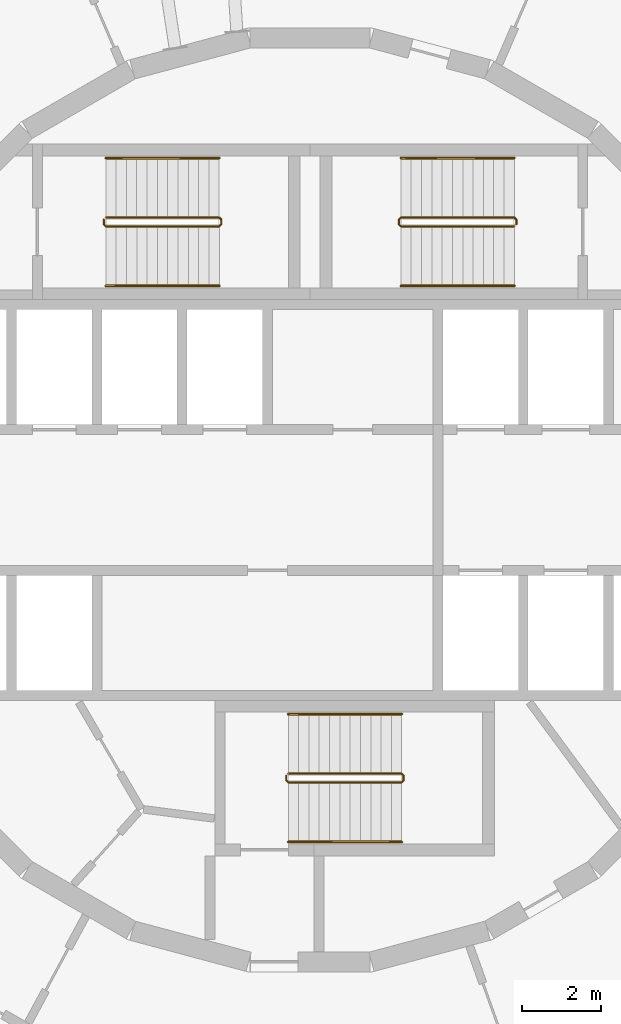
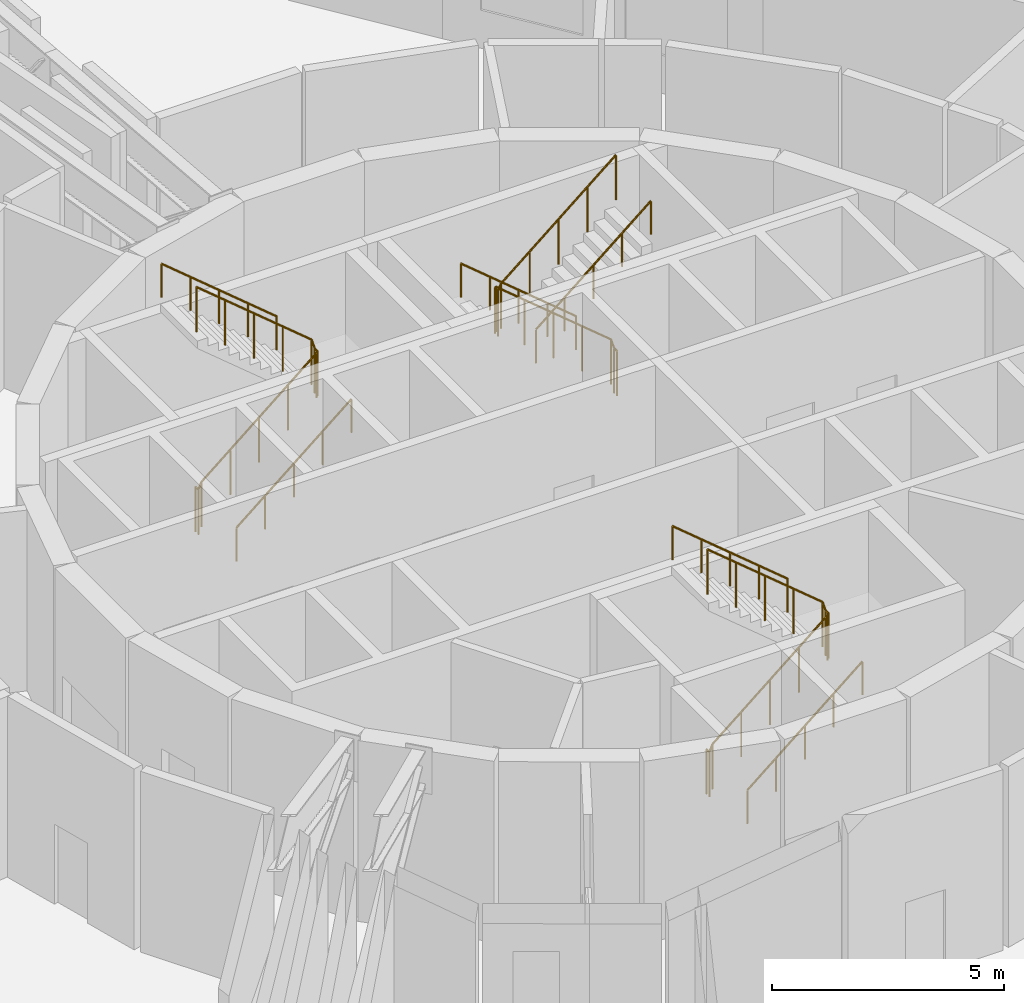
# One storey, part 11 of 11: 9 railings.
"""IFC4 building model written with IfcOpenShell, lengths in metres."""

from ifc_helpers import new_model, si_unit, direction, frame, origin, origin_2d, place, context, subcontext, project, spatial, circle, extrude, material, type_object, element, save


model = new_model("IFC4")

# Units and contexts
model_context = context("Model", 3, precision=1e-05, world=origin(), true_north=direction((0.0, 1.0)))
body_context = subcontext(model_context, "Body", "Model", "MODEL_VIEW")
ifc_project = project(units=[si_unit("LENGTHUNIT", "METRE"), si_unit("AREAUNIT", "SQUARE_METRE"), si_unit("VOLUMEUNIT", "CUBIC_METRE"), si_unit("PLANEANGLEUNIT", "RADIAN"), si_unit("MASSUNIT", "GRAM", prefix="KILO")], contexts=[model_context])

# Site, building, storey
site_placement = place(None, origin())
site = spatial("IfcSite", under=ifc_project, at=site_placement, CompositionType="ELEMENT")
building_placement = place(site_placement, origin())
building = spatial("IfcBuilding", under=site, at=building_placement, Name="Spindle Arch Residences", CompositionType="ELEMENT")
storey_placement = place(building_placement, frame((0.0, 0.0, 108.199951171875)))
storey = spatial("IfcBuildingStorey", under=building, at=storey_placement, Name="L26", CompositionType="ELEMENT", Elevation=108.199951171875)

# Railings
ifc_material_1 = material(Name="Steel, painted", Category="steel")
railing_type_1 = type_object("IfcRailingType", Name="Stair guard 1100", PredefinedType="GUARDRAIL", material=ifc_material_1)
railing_1_placement = place(storey_placement, frame((5.14990234375, 6.89990234375, 5.199951171875)))
element("IfcRailing", 1, at=railing_1_placement, inside=storey, type_object=railing_type_1, Name="L26 ST1 stair guard 1", PredefinedType="GUARDRAIL", context=body_context, shape_type="SweptSolid", body=[
    extrude(circle(Radius=0.02392578125, at=origin_2d()), frame((0.0, 0.0, 1.17578125), z_axis=(-0.76821052858, 0.0, -0.640197300665), x_axis=(0.0, -1.0, 0.0)), (0.0, 0.0, 1.0), 3.72265625),
    extrude(circle(Radius=0.02392578125, at=origin_2d()), frame((-2.85986328125, 0.0, -1.20751953125), z_axis=(-0.219679693006, 0.219679693006, -0.950516525349), x_axis=(-0.707106781187, -0.707106781187, 0.0)), (0.0, 0.0, 1.0), 0.227783203125),
    extrude(circle(Radius=0.02392578125, at=origin_2d()), frame((-2.909912109375, 0.050048828125, -1.423828125), z_axis=(0.0, 1.0, 0.0), x_axis=(-1.0, 0.0, 0.0)), (0.0, 0.0, 1.0), 0.1201171875),
    extrude(circle(Radius=0.02392578125, at=origin_2d()), frame((-2.909912109375, 0.170166015625, -1.423828125), z_axis=(0.707106781187, 0.707106781187, 0.0), x_axis=(-0.707106781187, 0.707106781187, 0.0)), (0.0, 0.0, 1.0), 0.07080078125),
    extrude(circle(Radius=0.02392578125, at=origin_2d()), frame((-2.85986328125, 0.22021484375, -1.423828125), z_axis=(0.76821052858, 0.0, -0.640197300665), x_axis=(0.0, 1.0, 0.0)), (0.0, 0.0, 1.0), 3.72265625),
    extrude(circle(Radius=0.02392578125, at=origin_2d()), frame((0.0, 0.22021484375, -3.80712890625), z_axis=(0.219456146917, -0.219456146917, -0.950619797375), x_axis=(0.707106781187, 0.707106781187, 0.0)), (0.0, 0.0, 1.0), 0.22802734375),
    extrude(circle(Radius=0.02392578125, at=origin_2d()), frame((0.050048828125, 0.170166015625, -4.02392578125), z_axis=(0.0, -1.0, 0.0), x_axis=(1.0, 0.0, 0.0)), (0.0, 0.0, 1.0), 0.1201171875),
    extrude(circle(Radius=0.02099609375, at=origin_2d()), origin(), (0.0, 0.0, 1.0), 1.15185546875),
    extrude(circle(Radius=0.02099609375, at=origin_2d()), frame((-0.71484375, 0.0, -0.595703125)), (0.0, 0.0, 1.0), 1.15185546875),
    extrude(circle(Radius=0.02099609375, at=origin_2d()), frame((-1.429931640625, 0.0, -1.191650390625)), (0.0, 0.0, 1.0), 1.15185546875),
    extrude(circle(Radius=0.02099609375, at=origin_2d()), frame((-2.14501953125, 0.0, -1.78759765625)), (0.0, 0.0, 1.0), 1.15185546875),
    extrude(circle(Radius=0.02099609375, at=origin_2d()), frame((-2.85986328125, 0.0, -2.38330078125)), (0.0, 0.0, 1.0), 1.15185546875),
    extrude(circle(Radius=0.02099609375, at=origin_2d()), frame((-2.909912109375, 0.050048828125, -2.599853515625)), (0.0, 0.0, 1.0), 1.15185546875),
    extrude(circle(Radius=0.02099609375, at=origin_2d()), frame((-2.909912109375, 0.170166015625, -2.599853515625)), (0.0, 0.0, 1.0), 1.15185546875),
    extrude(circle(Radius=0.02099609375, at=origin_2d()), frame((-2.85986328125, 0.22021484375, -2.599853515625)), (0.0, 0.0, 1.0), 1.15185546875),
    extrude(circle(Radius=0.02099609375, at=origin_2d()), frame((-2.14501953125, 0.22021484375, -3.19580078125)), (0.0, 0.0, 1.0), 1.15185546875),
    extrude(circle(Radius=0.02099609375, at=origin_2d()), frame((-1.429931640625, 0.22021484375, -3.79150390625)), (0.0, 0.0, 1.0), 1.15185546875),
    extrude(circle(Radius=0.02099609375, at=origin_2d()), frame((-0.71484375, 0.22021484375, -4.38720703125)), (0.0, 0.0, 1.0), 1.15185546875),
    extrude(circle(Radius=0.02099609375, at=origin_2d()), frame((0.0, 0.22021484375, -4.983154296875)), (0.0, 0.0, 1.0), 1.15185546875),
    extrude(circle(Radius=0.02099609375, at=origin_2d()), frame((0.050048828125, 0.170166015625, -5.199951171875)), (0.0, 0.0, 1.0), 1.15185546875),
    extrude(circle(Radius=0.02099609375, at=origin_2d()), frame((0.050048828125, 0.050048828125, -5.199951171875)), (0.0, 0.0, 1.0), 1.15185546875),
])
railing_2_placement = place(storey_placement, frame((-5.14990234375, 7.1201171875, 5.199951171875)))
element("IfcRailing", 2, at=railing_2_placement, inside=storey, type_object=railing_type_1, Name="L26 ST2 stair guard 1", PredefinedType="GUARDRAIL", context=body_context, shape_type="SweptSolid", body=[
    extrude(circle(Radius=0.02392578125, at=origin_2d()), frame((0.0, 0.0, 1.17578125), z_axis=(0.76821052858, 0.0, -0.640197300665), x_axis=(0.0, 1.0, 0.0)), (0.0, 0.0, 1.0), 3.72265625),
    extrude(circle(Radius=0.02392578125, at=origin_2d()), frame((2.85986328125, 0.0, -1.20751953125), z_axis=(0.219679693006, -0.219679693006, -0.950516525349), x_axis=(0.707106781187, 0.707106781187, 0.0)), (0.0, 0.0, 1.0), 0.227783203125),
    extrude(circle(Radius=0.02392578125, at=origin_2d()), frame((2.909912109375, -0.050048828125, -1.423828125), z_axis=(0.0, -1.0, 0.0), x_axis=(1.0, 0.0, 0.0)), (0.0, 0.0, 1.0), 0.1201171875),
    extrude(circle(Radius=0.02392578125, at=origin_2d()), frame((2.909912109375, -0.170166015625, -1.423828125), z_axis=(-0.707106781187, -0.707106781187, 0.0), x_axis=(0.707106781187, -0.707106781187, 0.0)), (0.0, 0.0, 1.0), 0.07080078125),
    extrude(circle(Radius=0.02392578125, at=origin_2d()), frame((2.85986328125, -0.22021484375, -1.423828125), z_axis=(-0.76821052858, 0.0, -0.640197300665), x_axis=(0.0, -1.0, 0.0)), (0.0, 0.0, 1.0), 3.72265625),
    extrude(circle(Radius=0.02392578125, at=origin_2d()), frame((0.0, -0.22021484375, -3.80712890625), z_axis=(-0.219456146917, 0.219456146917, -0.950619797375), x_axis=(-0.707106781187, -0.707106781187, 0.0)), (0.0, 0.0, 1.0), 0.22802734375),
    extrude(circle(Radius=0.02392578125, at=origin_2d()), frame((-0.050048828125, -0.170166015625, -4.02392578125), z_axis=(0.0, 1.0, 0.0), x_axis=(-1.0, 0.0, 0.0)), (0.0, 0.0, 1.0), 0.1201171875),
    extrude(circle(Radius=0.02099609375, at=origin_2d()), origin(), (0.0, 0.0, 1.0), 1.15185546875),
    extrude(circle(Radius=0.02099609375, at=origin_2d()), frame((0.71484375, 0.0, -0.595703125)), (0.0, 0.0, 1.0), 1.15185546875),
    extrude(circle(Radius=0.02099609375, at=origin_2d()), frame((1.429931640625, 0.0, -1.191650390625)), (0.0, 0.0, 1.0), 1.15185546875),
    extrude(circle(Radius=0.02099609375, at=origin_2d()), frame((2.14501953125, 0.0, -1.78759765625)), (0.0, 0.0, 1.0), 1.15185546875),
    extrude(circle(Radius=0.02099609375, at=origin_2d()), frame((2.85986328125, 0.0, -2.38330078125)), (0.0, 0.0, 1.0), 1.15185546875),
    extrude(circle(Radius=0.02099609375, at=origin_2d()), frame((2.909912109375, -0.050048828125, -2.599853515625)), (0.0, 0.0, 1.0), 1.15185546875),
    extrude(circle(Radius=0.02099609375, at=origin_2d()), frame((2.909912109375, -0.170166015625, -2.599853515625)), (0.0, 0.0, 1.0), 1.15185546875),
    extrude(circle(Radius=0.02099609375, at=origin_2d()), frame((2.85986328125, -0.22021484375, -2.599853515625)), (0.0, 0.0, 1.0), 1.15185546875),
    extrude(circle(Radius=0.02099609375, at=origin_2d()), frame((2.14501953125, -0.22021484375, -3.19580078125)), (0.0, 0.0, 1.0), 1.15185546875),
    extrude(circle(Radius=0.02099609375, at=origin_2d()), frame((1.429931640625, -0.22021484375, -3.79150390625)), (0.0, 0.0, 1.0), 1.15185546875),
    extrude(circle(Radius=0.02099609375, at=origin_2d()), frame((0.71484375, -0.22021484375, -4.38720703125)), (0.0, 0.0, 1.0), 1.15185546875),
    extrude(circle(Radius=0.02099609375, at=origin_2d()), frame((0.0, -0.22021484375, -4.983154296875)), (0.0, 0.0, 1.0), 1.15185546875),
    extrude(circle(Radius=0.02099609375, at=origin_2d()), frame((-0.050048828125, -0.170166015625, -5.199951171875)), (0.0, 0.0, 1.0), 1.15185546875),
    extrude(circle(Radius=0.02099609375, at=origin_2d()), frame((-0.050048828125, -0.050048828125, -5.199951171875)), (0.0, 0.0, 1.0), 1.15185546875),
])
railing_3_placement = place(storey_placement, frame((-0.550048828125, -6.89990234375, 5.199951171875)))
element("IfcRailing", 3, at=railing_3_placement, inside=storey, type_object=railing_type_1, Name="L26 ST3 stair guard 1", PredefinedType="GUARDRAIL", context=body_context, shape_type="SweptSolid", body=[
    extrude(circle(Radius=0.02392578125, at=origin_2d()), frame((0.0, 0.0, 1.17578125), z_axis=(0.768237404905, 0.0, -0.640165048799), x_axis=(0.0, 1.0, 0.0)), (0.0, 0.0, 1.0), 3.722900390625),
    extrude(circle(Radius=0.02392578125, at=origin_2d()), frame((2.860107421875, 0.0, -1.20751953125), z_axis=(0.219679693006, -0.219679693006, -0.950516525349), x_axis=(0.707106781187, 0.707106781187, 0.0)), (0.0, 0.0, 1.0), 0.227783203125),
    extrude(circle(Radius=0.02392578125, at=origin_2d()), frame((2.91015625, -0.050048828125, -1.423828125), z_axis=(0.0, -1.0, 0.0), x_axis=(1.0, 0.0, 0.0)), (0.0, 0.0, 1.0), 0.1201171875),
    extrude(circle(Radius=0.02392578125, at=origin_2d()), frame((2.91015625, -0.170166015625, -1.423828125), z_axis=(-0.707106781187, -0.707106781187, 0.0), x_axis=(0.707106781187, -0.707106781187, 0.0)), (0.0, 0.0, 1.0), 0.07080078125),
    extrude(circle(Radius=0.02392578125, at=origin_2d()), frame((2.860107421875, -0.22021484375, -1.423828125), z_axis=(-0.768237404905, 0.0, -0.640165048799), x_axis=(0.0, -1.0, 0.0)), (0.0, 0.0, 1.0), 3.722900390625),
    extrude(circle(Radius=0.02392578125, at=origin_2d()), frame((0.0, -0.22021484375, -3.80712890625), z_axis=(-0.219456146917, 0.219456146917, -0.950619797375), x_axis=(-0.707106781187, -0.707106781187, 0.0)), (0.0, 0.0, 1.0), 0.22802734375),
    extrude(circle(Radius=0.02392578125, at=origin_2d()), frame((-0.050048828125, -0.170166015625, -4.02392578125), z_axis=(0.0, 1.0, 0.0), x_axis=(-1.0, 0.0, 0.0)), (0.0, 0.0, 1.0), 0.1201171875),
    extrude(circle(Radius=0.02099609375, at=origin_2d()), origin(), (0.0, 0.0, 1.0), 1.15185546875),
    extrude(circle(Radius=0.02099609375, at=origin_2d()), frame((0.715087890625, 0.0, -0.595703125)), (0.0, 0.0, 1.0), 1.15185546875),
    extrude(circle(Radius=0.02099609375, at=origin_2d()), frame((1.43017578125, 0.0, -1.191650390625)), (0.0, 0.0, 1.0), 1.15185546875),
    extrude(circle(Radius=0.02099609375, at=origin_2d()), frame((2.14501953125, 0.0, -1.78759765625)), (0.0, 0.0, 1.0), 1.15185546875),
    extrude(circle(Radius=0.02099609375, at=origin_2d()), frame((2.860107421875, 0.0, -2.38330078125)), (0.0, 0.0, 1.0), 1.15185546875),
    extrude(circle(Radius=0.02099609375, at=origin_2d()), frame((2.91015625, -0.050048828125, -2.599853515625)), (0.0, 0.0, 1.0), 1.15185546875),
    extrude(circle(Radius=0.02099609375, at=origin_2d()), frame((2.91015625, -0.170166015625, -2.599853515625)), (0.0, 0.0, 1.0), 1.15185546875),
    extrude(circle(Radius=0.02099609375, at=origin_2d()), frame((2.860107421875, -0.22021484375, -2.599853515625)), (0.0, 0.0, 1.0), 1.15185546875),
    extrude(circle(Radius=0.02099609375, at=origin_2d()), frame((2.14501953125, -0.22021484375, -3.19580078125)), (0.0, 0.0, 1.0), 1.15185546875),
    extrude(circle(Radius=0.02099609375, at=origin_2d()), frame((1.43017578125, -0.22021484375, -3.79150390625)), (0.0, 0.0, 1.0), 1.15185546875),
    extrude(circle(Radius=0.02099609375, at=origin_2d()), frame((0.715087890625, -0.22021484375, -4.38720703125)), (0.0, 0.0, 1.0), 1.15185546875),
    extrude(circle(Radius=0.02099609375, at=origin_2d()), frame((0.0, -0.22021484375, -4.983154296875)), (0.0, 0.0, 1.0), 1.15185546875),
    extrude(circle(Radius=0.02099609375, at=origin_2d()), frame((-0.050048828125, -0.170166015625, -5.199951171875)), (0.0, 0.0, 1.0), 1.15185546875),
    extrude(circle(Radius=0.02099609375, at=origin_2d()), frame((-0.050048828125, -0.050048828125, -5.199951171875)), (0.0, 0.0, 1.0), 1.15185546875),
])
ifc_material_2 = material(Name="Steel, painted", Category="steel")
railing_type_2 = type_object("IfcRailingType", Name="Stair handrail 900", PredefinedType="HANDRAIL", material=ifc_material_2)
railing_4_placement = place(storey_placement, frame((5.14990234375, 8.6201171875, 0.216796875)))
element("IfcRailing", 4, at=railing_4_placement, inside=storey, type_object=railing_type_2, Name="L26 ST1 stair handrail 1", PredefinedType="HANDRAIL", context=body_context, shape_type="SweptSolid", body=[
    extrude(circle(Radius=0.02392578125, at=origin_2d()), frame((0.0, 0.0, 0.8759765625), z_axis=(-0.76821052858, 0.0, 0.640197300665), x_axis=(0.0, -1.0, 0.0)), (0.0, 0.0, 1.0), 3.72265625),
    extrude(circle(Radius=0.02099609375, at=origin_2d()), origin(), (0.0, 0.0, 1.0), 0.851806640625),
    extrude(circle(Radius=0.02099609375, at=origin_2d()), frame((-0.71484375, 0.0, 0.595703125)), (0.0, 0.0, 1.0), 0.851806640625),
    extrude(circle(Radius=0.02099609375, at=origin_2d()), frame((-1.429931640625, 0.0, 1.191650390625)), (0.0, 0.0, 1.0), 0.851806640625),
    extrude(circle(Radius=0.02099609375, at=origin_2d()), frame((-2.14501953125, 0.0, 1.78759765625)), (0.0, 0.0, 1.0), 0.851806640625),
    extrude(circle(Radius=0.02099609375, at=origin_2d()), frame((-2.85986328125, 0.0, 2.38330078125)), (0.0, 0.0, 1.0), 0.851806640625),
])
for number, where, name in (
    (5, (2.2900390625, 5.39990234375, 2.816650390625), "L26 ST1 stair handrail 2"),
    (6, (-5.14990234375, 5.39990234375, 0.216796875), "L26 ST2 stair handrail 1"),
):
    element("IfcRailing", number, at=place(storey_placement, frame(where)), inside=storey, type_object=railing_type_2, Name=name, PredefinedType="HANDRAIL", context=body_context, shape_type="SweptSolid", body=[
        extrude(circle(Radius=0.02392578125, at=origin_2d()), frame((0.0, 0.0, 0.8759765625), z_axis=(0.76821052858, 0.0, 0.640197300665), x_axis=(0.0, 1.0, 0.0)), (0.0, 0.0, 1.0), 3.72265625),
        extrude(circle(Radius=0.02099609375, at=origin_2d()), origin(), (0.0, 0.0, 1.0), 0.851806640625),
        extrude(circle(Radius=0.02099609375, at=origin_2d()), frame((0.71484375, 0.0, 0.595703125)), (0.0, 0.0, 1.0), 0.851806640625),
        extrude(circle(Radius=0.02099609375, at=origin_2d()), frame((1.429931640625, 0.0, 1.191650390625)), (0.0, 0.0, 1.0), 0.851806640625),
        extrude(circle(Radius=0.02099609375, at=origin_2d()), frame((2.14501953125, 0.0, 1.78759765625)), (0.0, 0.0, 1.0), 0.851806640625),
        extrude(circle(Radius=0.02099609375, at=origin_2d()), frame((2.85986328125, 0.0, 2.38330078125)), (0.0, 0.0, 1.0), 0.851806640625),
    ])
railing_5_placement = place(storey_placement, frame((-2.2900390625, 8.6201171875, 2.816650390625)))
element("IfcRailing", 7, at=railing_5_placement, inside=storey, type_object=railing_type_2, Name="L26 ST2 stair handrail 2", PredefinedType="HANDRAIL", context=body_context, shape_type="SweptSolid", body=[
    extrude(circle(Radius=0.02392578125, at=origin_2d()), frame((0.0, 0.0, 0.8759765625), z_axis=(-0.76821052858, 0.0, 0.640197300665), x_axis=(0.0, -1.0, 0.0)), (0.0, 0.0, 1.0), 3.72265625),
    extrude(circle(Radius=0.02099609375, at=origin_2d()), origin(), (0.0, 0.0, 1.0), 0.851806640625),
    extrude(circle(Radius=0.02099609375, at=origin_2d()), frame((-0.71484375, 0.0, 0.595703125)), (0.0, 0.0, 1.0), 0.851806640625),
    extrude(circle(Radius=0.02099609375, at=origin_2d()), frame((-1.429931640625, 0.0, 1.191650390625)), (0.0, 0.0, 1.0), 0.851806640625),
    extrude(circle(Radius=0.02099609375, at=origin_2d()), frame((-2.14501953125, 0.0, 1.78759765625)), (0.0, 0.0, 1.0), 0.851806640625),
    extrude(circle(Radius=0.02099609375, at=origin_2d()), frame((-2.85986328125, 0.0, 2.38330078125)), (0.0, 0.0, 1.0), 0.851806640625),
])
railing_6_placement = place(storey_placement, frame((-0.550048828125, -8.6201171875, 0.216796875)))
element("IfcRailing", 8, at=railing_6_placement, inside=storey, type_object=railing_type_2, Name="L26 ST3 stair handrail 1", PredefinedType="HANDRAIL", context=body_context, shape_type="SweptSolid", body=[
    extrude(circle(Radius=0.02392578125, at=origin_2d()), frame((0.0, 0.0, 0.8759765625), z_axis=(0.768237404905, 0.0, 0.640165048799), x_axis=(0.0, 1.0, 0.0)), (0.0, 0.0, 1.0), 3.722900390625),
    extrude(circle(Radius=0.02099609375, at=origin_2d()), origin(), (0.0, 0.0, 1.0), 0.851806640625),
    extrude(circle(Radius=0.02099609375, at=origin_2d()), frame((0.715087890625, 0.0, 0.595703125)), (0.0, 0.0, 1.0), 0.851806640625),
    extrude(circle(Radius=0.02099609375, at=origin_2d()), frame((1.43017578125, 0.0, 1.191650390625)), (0.0, 0.0, 1.0), 0.851806640625),
    extrude(circle(Radius=0.02099609375, at=origin_2d()), frame((2.14501953125, 0.0, 1.78759765625)), (0.0, 0.0, 1.0), 0.851806640625),
    extrude(circle(Radius=0.02099609375, at=origin_2d()), frame((2.860107421875, 0.0, 2.38330078125)), (0.0, 0.0, 1.0), 0.851806640625),
])
railing_7_placement = place(storey_placement, frame((2.31005859375, -5.39990234375, 2.816650390625)))
element("IfcRailing", 9, at=railing_7_placement, inside=storey, type_object=railing_type_2, Name="L26 ST3 stair handrail 2", PredefinedType="HANDRAIL", context=body_context, shape_type="SweptSolid", body=[
    extrude(circle(Radius=0.02392578125, at=origin_2d()), frame((0.0, 0.0, 0.8759765625), z_axis=(-0.768237404905, 0.0, 0.640165048799), x_axis=(0.0, -1.0, 0.0)), (0.0, 0.0, 1.0), 3.722900390625),
    extrude(circle(Radius=0.02099609375, at=origin_2d()), origin(), (0.0, 0.0, 1.0), 0.851806640625),
    extrude(circle(Radius=0.02099609375, at=origin_2d()), frame((-0.715087890625, 0.0, 0.595703125)), (0.0, 0.0, 1.0), 0.851806640625),
    extrude(circle(Radius=0.02099609375, at=origin_2d()), frame((-1.43017578125, 0.0, 1.191650390625)), (0.0, 0.0, 1.0), 0.851806640625),
    extrude(circle(Radius=0.02099609375, at=origin_2d()), frame((-2.14501953125, 0.0, 1.78759765625)), (0.0, 0.0, 1.0), 0.851806640625),
    extrude(circle(Radius=0.02099609375, at=origin_2d()), frame((-2.860107421875, 0.0, 2.38330078125)), (0.0, 0.0, 1.0), 0.851806640625),
])

save(model, "model.ifc")
